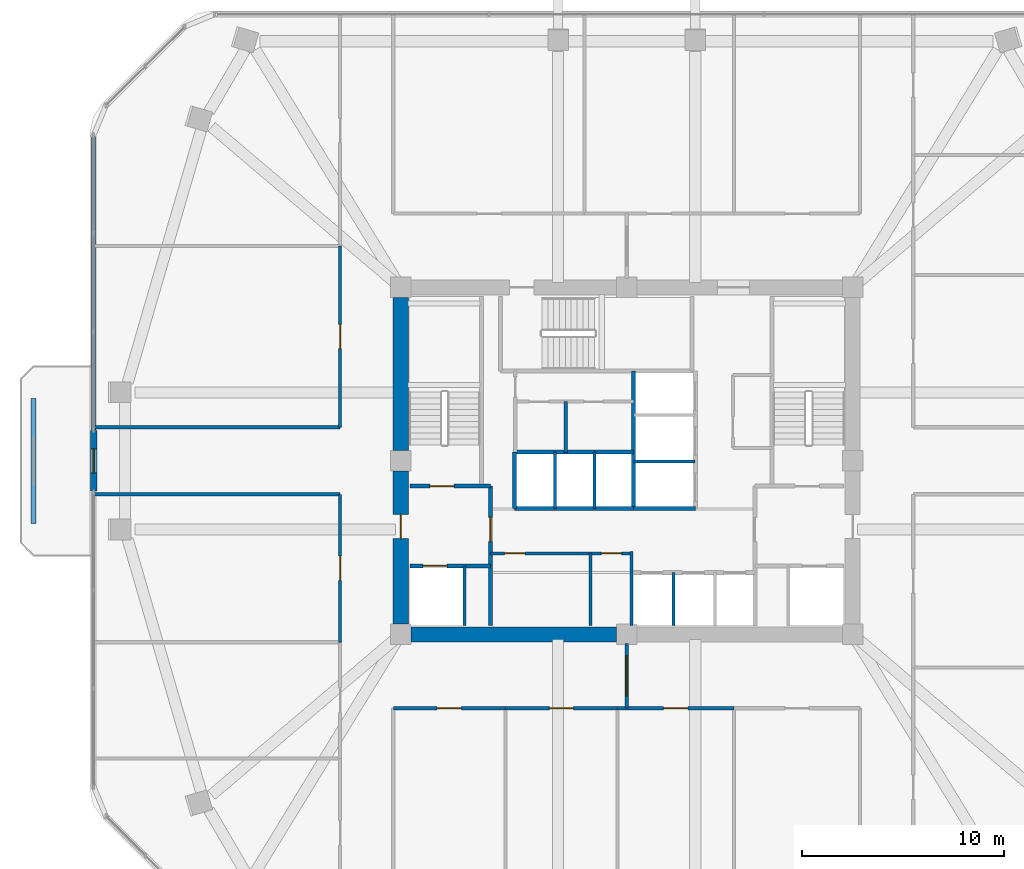
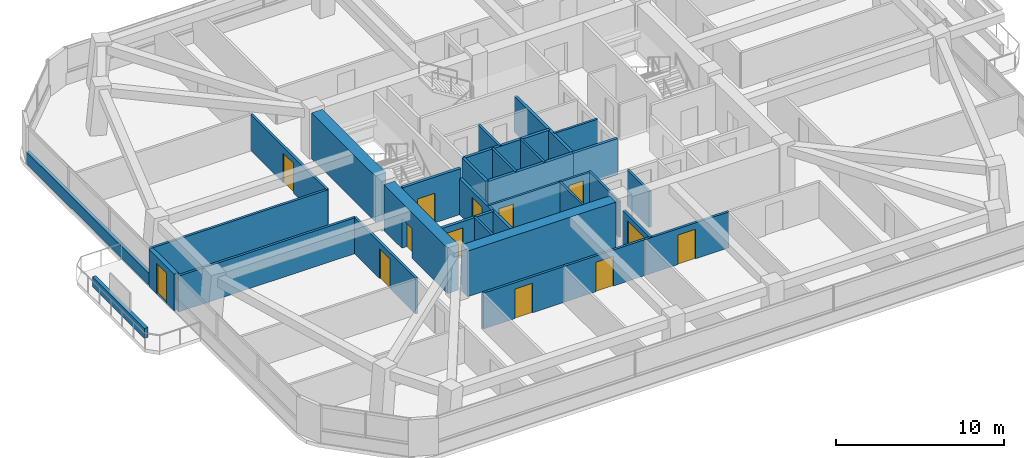
# One storey, part 10 of 15: 31 walls, 13 doors, 13 openings.
"""IFC4 building model written with IfcOpenShell, lengths in metres."""

from ifc_helpers import new_model, si_unit, derived_unit, direction, frame, frame_2d, origin, place, context, subcontext, project, spatial, rectangle, extrude, material, layer, layer_set, type_object, element, fill, save


model = new_model("IFC4")

# Units and contexts
model_context = context("Model", 3, precision=1e-05, world=origin(), true_north=direction((0.0, 1.0)))
body_context = subcontext(model_context, "Body", "Model", "MODEL_VIEW")
ifc_project = project(units=[si_unit("LENGTHUNIT", "METRE"), si_unit("AREAUNIT", "SQUARE_METRE"), si_unit("VOLUMEUNIT", "CUBIC_METRE"), si_unit("PLANEANGLEUNIT", "RADIAN"), si_unit("MASSUNIT", "GRAM", prefix="KILO"), derived_unit("THERMALTRANSMITTANCEUNIT", [(si_unit("POWERUNIT", "WATT"), 1), (si_unit("LENGTHUNIT", "METRE"), -2), (si_unit("THERMODYNAMICTEMPERATUREUNIT", "KELVIN"), -1)])], contexts=[model_context])

# Site, building, storey
site_placement = place(None, origin())
site = spatial("IfcSite", under=ifc_project, at=site_placement, CompositionType="ELEMENT")
building_placement = place(site_placement, origin())
building = spatial("IfcBuilding", under=site, at=building_placement, Name="Koralith Skygarden Medical Center", CompositionType="ELEMENT")
storey_placement = place(building_placement, frame((0.0, 0.0, 91.97998046875)))
storey = spatial("IfcBuildingStorey", under=building, at=storey_placement, Name="L23", CompositionType="ELEMENT", Elevation=91.97998046875)

# Wall, openings, doors
ifc_material_1 = material(Name="Gypsum Board Partition")
ifc_layer_1 = layer(ifc_material_1, 0.14990234375)
ifc_layer_set_1 = layer_set([ifc_layer_1], Name="Gypsum Board Partition")
wall_type_1 = type_object("IfcWallType", Name="Clinical Acoustic Partition 150", PredefinedType="PARTITIONING", material=ifc_layer_set_1)
wall_1_placement = place(storey_placement, frame((30.25, 21.320068359375, 0.0), z_axis=(0.0, 0.0, 1.0), x_axis=(1.0, 0.0, 0.0)))
wall_1 = element("IfcWall", 1, at=wall_1_placement, inside=storey, type_object=wall_type_1, Name="L23 Clinical Acoustic Partition 150 W-CORE-L23-FREED-LR-N", PredefinedType="PARTITIONING", context=body_context, shape_type="SweptSolid", body=[
    extrude(rectangle(XDim=7.0, YDim=0.14990234375, at=frame_2d((3.5, 0.0))), origin(), (0.0, 0.0, 1.0), 2.610107421875),
])
opening_1_placement = place(wall_1_placement, frame((0.699951171875, 0.0, 0.0)))
opening_1 = element("IfcOpeningElement", 2, at=opening_1_placement, cuts=wall_1, Name="Opening D-SUP", PredefinedType="OPENING", context=body_context, shape_type="SweptSolid", body=[
    extrude(rectangle(XDim=1.0, YDim=2.14990234375, at=frame_2d((0.5, 1.074951171875))), frame((0.0, 0.0849609375, 0.0), z_axis=(0.0, -1.0, 0.0), x_axis=(1.0, 0.0, 0.0)), (0.0, 0.0, 1.0), 0.169921875),
])
opening_2_placement = place(wall_1_placement, frame((5.5, 0.0, 0.0)))
opening_2 = element("IfcOpeningElement", 3, at=opening_2_placement, cuts=wall_1, Name="Opening D-SUP", PredefinedType="OPENING", context=body_context, shape_type="SweptSolid", body=[
    extrude(rectangle(XDim=1.0, YDim=2.14990234375, at=frame_2d((0.5, 1.074951171875))), frame((0.0, 0.0849609375, 0.0), z_axis=(0.0, -1.0, 0.0), x_axis=(1.0, 0.0, 0.0)), (0.0, 0.0, 1.0), 0.169921875),
])
ifc_material_2 = material(Name="Aluminium 6063-T6", Category="aluminium")
door_type_1 = type_object("IfcDoorType", Name="Clinical Support Door D-SUP 1000", OperationType="NOTDEFINED", PredefinedType="DOOR", material=ifc_material_2)
door_1_placement = place(opening_1_placement, frame((1.0, 0.0, 0.0), z_axis=(0.0, 0.0, 1.0), x_axis=(-1.0, 0.0, 0.0)))
door_1 = element("IfcDoor", 4, at=door_1_placement, inside=storey, type_object=door_type_1, Name="L23 Medication Preparation Door", OperationType="SINGLE_SWING_LEFT", OverallHeight=2.14990234375, OverallWidth=1.0, PredefinedType="DOOR", context=body_context, shape_type="SweptSolid", body=[
    extrude(rectangle(XDim=1.0, YDim=2.14990234375, at=frame_2d((0.5, 1.074951171875))), frame((0.0, 0.02490234375, 0.0), z_axis=(0.0, -1.0, 0.0), x_axis=(1.0, 0.0, 0.0)), (0.0, 0.0, 1.0), 0.050048828125),
])
fill(opening_1, door_1)
door_2_placement = place(opening_2_placement, frame((1.0, 0.0, 0.0), z_axis=(0.0, 0.0, 1.0), x_axis=(-1.0, 0.0, 0.0)))
door_2 = element("IfcDoor", 5, at=door_2_placement, inside=storey, type_object=door_type_1, Name="L23 Telemetry Room Door", OperationType="SINGLE_SWING_RIGHT", OverallHeight=2.14990234375, OverallWidth=1.0, PredefinedType="DOOR", context=body_context, shape_type="SweptSolid", body=[
    extrude(rectangle(XDim=1.0, YDim=2.14990234375, at=frame_2d((0.5, 1.074951171875))), frame((0.0, 0.02490234375, 0.0), z_axis=(0.0, -1.0, 0.0), x_axis=(1.0, 0.0, 0.0)), (0.0, 0.0, 1.0), 0.050048828125),
])
fill(opening_2, door_2)

# Walls
wall_2_placement = place(storey_placement, frame((35.199951171875, 17.75, 0.0), z_axis=(0.0, 0.0, 1.0), x_axis=(0.0, 1.0, 0.0)))
element("IfcWall", 6, at=wall_2_placement, inside=storey, type_object=wall_type_1, Name="L23 Clinical Acoustic Partition 150 W-CORE-L23-FREED-LR-M", PredefinedType="PARTITIONING", context=body_context, shape_type="SweptSolid", body=[
    extrude(rectangle(XDim=3.570068359375, YDim=0.14990234375, at=frame_2d((1.78515625, 0.0))), origin(), (0.0, 0.0, 1.0), 2.610107421875),
])
wall_3_placement = place(storey_placement, frame((33.97998046875, 26.320068359375, 0.0), z_axis=(0.0, 0.0, 1.0), x_axis=(0.0, 1.0, 0.0)))
element("IfcWall", 7, at=wall_3_placement, inside=storey, type_object=wall_type_1, Name="L23 Clinical Acoustic Partition 150 W-CORE-L23-FLEX-V3A", PredefinedType="PARTITIONING", context=body_context, shape_type="SweptSolid", body=[
    extrude(rectangle(XDim=2.52001953125, YDim=0.14990234375, at=frame_2d((1.260009765625, 0.0))), origin(), (0.0, 0.0, 1.0), 2.610107421875),
])
ifc_layer_2 = layer(ifc_material_1, 0.1650390625)
ifc_layer_set_2 = layer_set([ifc_layer_2], Name="Gypsum Board Partition")
wall_type_2 = type_object("IfcWallType", Name="Clinical Corridor Partition 165", PredefinedType="PARTITIONING", material=ifc_layer_set_2)
for number, where, z_axis, x_axis, name in (
    (8, (10.60205078125, 24.239990234375, 0.0), (0.0, 0.0, 1.0), (1.0, 0.0, 0.0), "L23 Clinical Corridor Partition 165 W-HCOR-L23-EWS-W"),
    (9, (10.60205078125, 27.56005859375, 0.0), (0.0, 0.0, 1.0), (1.0, 0.0, 0.0), "L23 Clinical Corridor Partition 165 W-HCOR-L23-EWN-W"),
):
    element("IfcWall", number, at=place(storey_placement, frame(where, z_axis=z_axis, x_axis=x_axis)), inside=storey, type_object=wall_type_2, Name=name, PredefinedType="PARTITIONING", context=body_context, shape_type="SweptSolid", body=[
        extrude(rectangle(XDim=12.18798828125, YDim=0.1650390625, at=frame_2d((6.093994140625, 0.0))), origin(), (0.0, 0.0, 1.0), 2.610107421875),
    ])

# Wall, opening, door
wall_4_placement = place(storey_placement, frame((25.429931640625, 13.639892578125, 0.0), z_axis=(0.0, 0.0, 1.0), x_axis=(1.0, 0.0, 0.0)))
wall_4 = element("IfcWall", 10, at=wall_4_placement, inside=storey, type_object=wall_type_2, Name="L23 Clinical Corridor Partition 165 W-CORR-L23-S-01", PredefinedType="PARTITIONING", context=body_context, shape_type="SweptSolid", body=[
    extrude(rectangle(XDim=5.55908203125, YDim=0.1650390625, at=frame_2d((2.779541015625, 0.0))), origin(), (0.0, 0.0, 1.0), 2.610107421875),
])
opening_3_placement = place(wall_4_placement, frame((2.179931640625, 0.0, 0.0)))
opening_3 = element("IfcOpeningElement", 11, at=opening_3_placement, cuts=wall_4, Name="Opening D-CLN", PredefinedType="OPENING", context=body_context, shape_type="SweptSolid", body=[
    extrude(rectangle(XDim=1.199951171875, YDim=2.14990234375, at=frame_2d((0.60009765625, 1.074951171875))), frame((0.0, 0.092529296875, 0.0), z_axis=(0.0, -1.0, 0.0), x_axis=(1.0, 0.0, 0.0)), (0.0, 0.0, 1.0), 0.18505859375),
])
door_type_2 = type_object("IfcDoorType", Name="Clinical Corridor Door D-CLN 1200", OperationType="NOTDEFINED", PredefinedType="DOOR", material=ifc_material_2)
door_3_placement = place(opening_3_placement, frame((1.199951171875, 0.0, 0.0), z_axis=(0.0, 0.0, 1.0), x_axis=(-1.0, 0.0, 0.0)))
door_3 = element("IfcDoor", 12, at=door_3_placement, inside=storey, type_object=door_type_2, Name="L23 Surgical Follow-Up Office 04 Door", OperationType="SINGLE_SWING_LEFT", OverallHeight=2.14990234375, OverallWidth=1.199951171875, PredefinedType="DOOR", context=body_context, shape_type="SweptSolid", body=[
    extrude(rectangle(XDim=1.199951171875, YDim=2.14990234375, at=frame_2d((0.60009765625, 1.074951171875))), frame((0.0, 0.02490234375, 0.0), z_axis=(0.0, -1.0, 0.0), x_axis=(1.0, 0.0, 0.0)), (0.0, 0.0, 1.0), 0.050048828125),
])
fill(opening_3, door_3)

wall_5_placement = place(storey_placement, frame((30.989013671875, 13.639892578125, 0.0), z_axis=(0.0, 0.0, 1.0), x_axis=(1.0, 0.0, 0.0)))
wall_5 = element("IfcWall", 13, at=wall_5_placement, inside=storey, type_object=wall_type_2, Name="L23 Clinical Corridor Partition 165 W-CORR-L23-S-02", PredefinedType="PARTITIONING", context=body_context, shape_type="SweptSolid", body=[
    extrude(rectangle(XDim=5.549072265625, YDim=0.1650390625, at=frame_2d((2.7744140625, 0.0))), origin(), (0.0, 0.0, 1.0), 2.610107421875),
])
opening_4_placement = place(wall_5_placement, frame((2.174072265625, 0.0, 0.0)))
opening_4 = element("IfcOpeningElement", 14, at=opening_4_placement, cuts=wall_5, Name="Opening D-CLN", PredefinedType="OPENING", context=body_context, shape_type="SweptSolid", body=[
    extrude(rectangle(XDim=1.199951171875, YDim=2.14990234375, at=frame_2d((0.60009765625, 1.074951171875))), frame((0.0, 0.092529296875, 0.0), z_axis=(0.0, -1.0, 0.0), x_axis=(1.0, 0.0, 0.0)), (0.0, 0.0, 1.0), 0.18505859375),
])
door_4_placement = place(opening_4_placement, frame((1.199951171875, 0.0, 0.0), z_axis=(0.0, 0.0, 1.0), x_axis=(-1.0, 0.0, 0.0)))
door_4 = element("IfcDoor", 15, at=door_4_placement, inside=storey, type_object=door_type_2, Name="L23 Sterile Instrument Sub-Store 05 Door", OperationType="SINGLE_SWING_RIGHT", OverallHeight=2.14990234375, OverallWidth=1.199951171875, PredefinedType="DOOR", context=body_context, shape_type="SweptSolid", body=[
    extrude(rectangle(XDim=1.199951171875, YDim=2.14990234375, at=frame_2d((0.60009765625, 1.074951171875))), frame((0.0, 0.02490234375, 0.0), z_axis=(0.0, -1.0, 0.0), x_axis=(1.0, 0.0, 0.0)), (0.0, 0.0, 1.0), 0.050048828125),
])
fill(opening_4, door_4)

wall_6_placement = place(storey_placement, frame((36.5380859375, 13.639892578125, 0.0), z_axis=(0.0, 0.0, 1.0), x_axis=(1.0, 0.0, 0.0)))
wall_6 = element("IfcWall", 16, at=wall_6_placement, inside=storey, type_object=wall_type_2, Name="L23 Clinical Corridor Partition 165 W-CORR-L23-S-03", PredefinedType="PARTITIONING", context=body_context, shape_type="SweptSolid", body=[
    extrude(rectangle(XDim=5.780029296875, YDim=0.1650390625, at=frame_2d((2.89013671875, 0.0))), origin(), (0.0, 0.0, 1.0), 2.610107421875),
])
opening_5_placement = place(wall_6_placement, frame((2.2900390625, 0.0, 0.0)))
opening_5 = element("IfcOpeningElement", 17, at=opening_5_placement, cuts=wall_6, Name="Opening D-CLN", PredefinedType="OPENING", context=body_context, shape_type="SweptSolid", body=[
    extrude(rectangle(XDim=1.199951171875, YDim=2.14990234375, at=frame_2d((0.60009765625, 1.074951171875))), frame((0.0, 0.092529296875, 0.0), z_axis=(0.0, -1.0, 0.0), x_axis=(1.0, 0.0, 0.0)), (0.0, 0.0, 1.0), 0.18505859375),
])
door_5_placement = place(opening_5_placement, frame((1.199951171875, 0.0, 0.0), z_axis=(0.0, 0.0, 1.0), x_axis=(-1.0, 0.0, 0.0)))
door_5 = element("IfcDoor", 18, at=door_5_placement, inside=storey, type_object=door_type_2, Name="L23 Orthopaedic Splint Supply Store 06 Door", OperationType="SINGLE_SWING_LEFT", OverallHeight=2.14990234375, OverallWidth=1.199951171875, PredefinedType="DOOR", context=body_context, shape_type="SweptSolid", body=[
    extrude(rectangle(XDim=1.199951171875, YDim=2.14990234375, at=frame_2d((0.60009765625, 1.074951171875))), frame((0.0, 0.02490234375, 0.0), z_axis=(0.0, -1.0, 0.0), x_axis=(1.0, 0.0, 0.0)), (0.0, 0.0, 1.0), 0.050048828125),
])
fill(opening_5, door_5)

wall_7_placement = place(storey_placement, frame((22.7900390625, 16.909912109375, 0.0), z_axis=(0.0, 0.0, 1.0), x_axis=(0.0, 1.0, 0.0)))
wall_7 = element("IfcWall", 19, at=wall_7_placement, inside=storey, type_object=wall_type_2, Name="L23 Clinical Corridor Partition 165 W-CORR-L23-WS-03", PredefinedType="PARTITIONING", context=body_context, shape_type="SweptSolid", body=[
    extrude(rectangle(XDim=7.330078125, YDim=0.1650390625, at=frame_2d((3.6650390625, 0.0))), origin(), (0.0, 0.0, 1.0), 2.610107421875),
])
opening_6_placement = place(wall_7_placement, frame((3.06494140625, 0.0, 0.0)))
opening_6 = element("IfcOpeningElement", 20, at=opening_6_placement, cuts=wall_7, Name="Opening D-CLN", PredefinedType="OPENING", context=body_context, shape_type="SweptSolid", body=[
    extrude(rectangle(XDim=1.199951171875, YDim=2.14990234375, at=frame_2d((0.60009765625, 1.074951171875))), frame((0.0, 0.092529296875, 0.0), z_axis=(0.0, -1.0, 0.0), x_axis=(1.0, 0.0, 0.0)), (0.0, 0.0, 1.0), 0.18505859375),
])
door_6_placement = place(opening_6_placement, frame((1.199951171875, 0.0, 0.0), z_axis=(0.0, 0.0, 1.0), x_axis=(-1.0, 0.0, 0.0)))
door_6 = element("IfcDoor", 21, at=door_6_placement, inside=storey, type_object=door_type_2, Name="L23 Orthopaedic Splint Supply Store 10 Door", OperationType="SINGLE_SWING_LEFT", OverallHeight=2.14990234375, OverallWidth=1.199951171875, PredefinedType="DOOR", context=body_context, shape_type="SweptSolid", body=[
    extrude(rectangle(XDim=1.199951171875, YDim=2.14990234375, at=frame_2d((0.60009765625, 1.074951171875))), frame((0.0, 0.02490234375, 0.0), z_axis=(0.0, -1.0, 0.0), x_axis=(1.0, 0.0, 0.0)), (0.0, 0.0, 1.0), 0.050048828125),
])
fill(opening_6, door_6)

wall_8_placement = place(storey_placement, frame((22.7900390625, 27.56005859375, 0.0), z_axis=(0.0, 0.0, 1.0), x_axis=(0.0, 1.0, 0.0)))
wall_8 = element("IfcWall", 22, at=wall_8_placement, inside=storey, type_object=wall_type_2, Name="L23 Clinical Corridor Partition 165 W-CORR-L23-WN-01", PredefinedType="PARTITIONING", context=body_context, shape_type="SweptSolid", body=[
    extrude(rectangle(XDim=8.998046875, YDim=0.1650390625, at=frame_2d((4.4990234375, 0.0))), origin(), (0.0, 0.0, 1.0), 2.610107421875),
])
opening_7_placement = place(wall_8_placement, frame((3.89892578125, 0.0, 0.0)))
opening_7 = element("IfcOpeningElement", 23, at=opening_7_placement, cuts=wall_8, Name="Opening D-CLN", PredefinedType="OPENING", context=body_context, shape_type="SweptSolid", body=[
    extrude(rectangle(XDim=1.199951171875, YDim=2.14990234375, at=frame_2d((0.60009765625, 1.074951171875))), frame((0.0, 0.092529296875, 0.0), z_axis=(0.0, -1.0, 0.0), x_axis=(1.0, 0.0, 0.0)), (0.0, 0.0, 1.0), 0.18505859375),
])
door_7_placement = place(opening_7_placement, frame((1.199951171875, 0.0, 0.0), z_axis=(0.0, 0.0, 1.0), x_axis=(-1.0, 0.0, 0.0)))
door_7 = element("IfcDoor", 24, at=door_7_placement, inside=storey, type_object=door_type_2, Name="L23 Cast and Dressing Treatment Room 11 Door", OperationType="SINGLE_SWING_RIGHT", OverallHeight=2.14990234375, OverallWidth=1.199951171875, PredefinedType="DOOR", context=body_context, shape_type="SweptSolid", body=[
    extrude(rectangle(XDim=1.199951171875, YDim=2.14990234375, at=frame_2d((0.60009765625, 1.074951171875))), frame((0.0, 0.02490234375, 0.0), z_axis=(0.0, -1.0, 0.0), x_axis=(1.0, 0.0, 0.0)), (0.0, 0.0, 1.0), 0.050048828125),
])
fill(opening_7, door_7)

ifc_layer_3 = layer(ifc_material_1, 0.199951171875)
ifc_layer_set_3 = layer_set([ifc_layer_3], Name="Gypsum Board Partition")
wall_type_3 = type_object("IfcWallType", Name="Fire Shaft Wall 200", PredefinedType="SOLIDWALL", material=ifc_layer_set_3)
wall_9_placement = place(storey_placement, frame((26.25, 20.699951171875, 0.0), z_axis=(0.0, 0.0, 1.0), x_axis=(1.0, 0.0, 0.0)))
wall_9 = element("IfcWall", 25, at=wall_9_placement, inside=storey, type_object=wall_type_3, Name="L23 Fire Shaft Wall 200 W-CORE-L23-FF1-N", PredefinedType="SOLIDWALL", context=body_context, shape_type="SweptSolid", body=[
    extrude(rectangle(XDim=4.0, YDim=0.199951171875, at=frame_2d((2.0, 0.0))), origin(), (0.0, 0.0, 1.0), 2.610107421875),
])
opening_8_placement = place(wall_9_placement, frame((0.64990234375, 0.0, 0.0)))
opening_8 = element("IfcOpeningElement", 26, at=opening_8_placement, cuts=wall_9, Name="Opening LD-FF", PredefinedType="OPENING", context=body_context, shape_type="SweptSolid", body=[
    extrude(rectangle(XDim=1.199951171875, YDim=2.14990234375, at=frame_2d((0.60009765625, 1.074951171875))), frame((0.0, 0.10986328125, 0.0), z_axis=(0.0, -1.0, 0.0), x_axis=(1.0, 0.0, 0.0)), (0.0, 0.0, 1.0), 0.219970703125),
])
ifc_material_3 = material(Name="Steel ASTM A500 Grade C", Category="steel")
door_type_3 = type_object("IfcDoorType", Name="Fire Lift Sliding Landing Door LD-FF 1200", OperationType="NOTDEFINED", PredefinedType="DOOR", material=ifc_material_3)
door_8_placement = place(opening_8_placement, origin())
door_8 = element("IfcDoor", 27, at=door_8_placement, inside=storey, type_object=door_type_3, Name="L23 Fire Service Elevator FF1 Landing Door", OperationType="SLIDING_TO_LEFT", OverallHeight=2.14990234375, OverallWidth=1.199951171875, PredefinedType="DOOR", context=body_context, shape_type="SweptSolid", body=[
    extrude(rectangle(XDim=1.199951171875, YDim=2.14990234375, at=frame_2d((0.60009765625, 1.074951171875))), frame((0.0, 0.02490234375, 0.0), z_axis=(0.0, -1.0, 0.0), x_axis=(1.0, 0.0, 0.0)), (0.0, 0.0, 1.0), 0.050048828125),
])
fill(opening_8, door_8)

wall_10_placement = place(storey_placement, frame((30.25, 17.75, 0.0), z_axis=(0.0, 0.0, 1.0), x_axis=(0.0, 1.0, 0.0)))
wall_10 = element("IfcWall", 28, at=wall_10_placement, inside=storey, type_object=wall_type_3, Name="L23 Fire Shaft Wall 200 W-CORE-L23-FSAEW-E", PredefinedType="SOLIDWALL", context=body_context, shape_type="SweptSolid", body=[
    extrude(rectangle(XDim=6.89990234375, YDim=0.199951171875, at=frame_2d((3.449951171875, 0.0))), origin(), (0.0, 0.0, 1.0), 2.610107421875),
])
opening_9_placement = place(wall_10_placement, frame((4.14990234375, 0.0, 0.0)))
opening_9 = element("IfcOpeningElement", 29, at=opening_9_placement, cuts=wall_10, Name="Opening D-ST60", PredefinedType="OPENING", context=body_context, shape_type="SweptSolid", body=[
    extrude(rectangle(XDim=1.199951171875, YDim=2.14990234375, at=frame_2d((0.60009765625, 1.074951171875))), frame((0.0, 0.10986328125, 0.0), z_axis=(0.0, -1.0, 0.0), x_axis=(1.0, 0.0, 0.0)), (0.0, 0.0, 1.0), 0.219970703125),
])
door_type_4 = type_object("IfcDoorType", Name="Smokeproof Stair Fire Door FD60S 1200", OperationType="NOTDEFINED", PredefinedType="DOOR", material=ifc_material_3)
door_9_placement = place(opening_9_placement, origin())
door_9 = element("IfcDoor", 30, at=door_9_placement, inside=storey, type_object=door_type_4, Name="L23 West Firefighting Lobby Inner Fire Door", OperationType="SINGLE_SWING_LEFT", OverallHeight=2.14990234375, OverallWidth=1.199951171875, PredefinedType="DOOR", context=body_context, shape_type="SweptSolid", body=[
    extrude(rectangle(XDim=1.199951171875, YDim=2.14990234375, at=frame_2d((0.60009765625, 1.074951171875))), frame((0.0, 0.02490234375, 0.0), z_axis=(0.0, -1.0, 0.0), x_axis=(1.0, 0.0, 0.0)), (0.0, 0.0, 1.0), 0.050048828125),
])
fill(opening_9, door_9)

# Walls
for number, where, z_axis, x_axis, name in (
    (31, (31.449951171875, 23.5400390625, 0.0), (0.0, 0.0, 1.0), (1.0, 0.0, 0.0), "L23 Fire Shaft Wall 200 W-CORE-L23-PH-S"),
    (32, (31.449951171875, 26.35009765625, 0.0), (0.0, 0.0, 1.0), (1.0, 0.0, 0.0), "L23 Fire Shaft Wall 200 W-CORE-L23-PH-N"),
):
    element("IfcWall", number, at=place(storey_placement, frame(where, z_axis=z_axis, x_axis=x_axis)), inside=storey, type_object=wall_type_3, Name=name, PredefinedType="SOLIDWALL", context=body_context, shape_type="SweptSolid", body=[
        extrude(rectangle(XDim=5.900146484375, YDim=0.199951171875, at=frame_2d((2.9501953125, 0.0))), origin(), (0.0, 0.0, 1.0), 2.610107421875),
    ])
wall_11_placement = place(storey_placement, frame((31.449951171875, 23.5400390625, 0.0), z_axis=(0.0, 0.0, 1.0), x_axis=(0.0, 1.0, 0.0)))
element("IfcWall", 33, at=wall_11_placement, inside=storey, type_object=wall_type_3, Name="L23 Fire Shaft Wall 200 W-CORE-L23-PH-W", PredefinedType="SOLIDWALL", context=body_context, shape_type="SweptSolid", body=[
    extrude(rectangle(XDim=2.81005859375, YDim=0.199951171875, at=frame_2d((1.405029296875, 0.0))), origin(), (0.0, 0.0, 1.0), 2.610107421875),
])
wall_12_placement = place(storey_placement, frame((37.35009765625, 23.5400390625, 0.0), z_axis=(0.0, 0.0, 1.0), x_axis=(0.0, 1.0, 0.0)))
element("IfcWall", 34, at=wall_12_placement, inside=storey, type_object=wall_type_3, Name="L23 Fire Shaft Wall 200 W-CORE-L23-SV-W", PredefinedType="SOLIDWALL", context=body_context, shape_type="SweptSolid", body=[
    extrude(rectangle(XDim=6.820068359375, YDim=0.199951171875, at=frame_2d((3.41015625, 0.0))), origin(), (0.0, 0.0, 1.0), 2.610107421875),
])
wall_13_placement = place(storey_placement, frame((37.35009765625, 23.5400390625, 0.0), z_axis=(0.0, 0.0, 1.0), x_axis=(1.0, 0.0, 0.0)))
element("IfcWall", 35, at=wall_13_placement, inside=storey, type_object=wall_type_3, Name="L23 Fire Shaft Wall 200 W-CORE-L23-SV-S", PredefinedType="SOLIDWALL", context=body_context, shape_type="SweptSolid", body=[
    extrude(rectangle(XDim=3.0498046875, YDim=0.199951171875, at=frame_2d((1.52490234375, 0.0))), origin(), (0.0, 0.0, 1.0), 2.610107421875),
])

# Wall, opening, door
ifc_layer_4 = layer(ifc_material_1, 0.179931640625)
ifc_layer_set_4 = layer_set([ifc_layer_4], Name="Gypsum Board Partition")
wall_type_4 = type_object("IfcWallType", Name="Group I-2 Smoke Barrier Wall 180", PredefinedType="PARTITIONING", material=ifc_layer_set_4)
wall_14_placement = place(storey_placement, frame((37.0, 13.639892578125, 0.0), z_axis=(0.0, 0.0, 1.0), x_axis=(0.0, 1.0, 0.0)))
wall_14 = element("IfcWall", 36, at=wall_14_placement, inside=storey, type_object=wall_type_4, Name="L23 Group I-2 Smoke Barrier Wall 180 W-SMK-L23-S", PredefinedType="PARTITIONING", context=body_context, shape_type="SweptSolid", body=[
    extrude(rectangle(XDim=3.210205078125, YDim=0.179931640625, at=frame_2d((1.60498046875, 0.0))), origin(), (0.0, 0.0, 1.0), 2.610107421875),
])
opening_10_placement = place(wall_14_placement, frame((0.60498046875, 0.0, 0.0)))
opening_10 = element("IfcOpeningElement", 37, at=opening_10_placement, cuts=wall_14, Name="Opening D-SMK", PredefinedType="OPENING", context=body_context, shape_type="SweptSolid", body=[
    extrude(rectangle(XDim=2.0, YDim=2.199951171875, at=frame_2d((1.0, 1.10009765625))), frame((0.0, 0.099853515625, 0.0), z_axis=(0.0, -1.0, 0.0), x_axis=(1.0, 0.0, 0.0)), (0.0, 0.0, 1.0), 0.199951171875),
])
door_type_5 = type_object("IfcDoorType", Name="Cross-Corridor Double Smoke Door FD60S 2000", OperationType="NOTDEFINED", PredefinedType="DOOR", material=ifc_material_3)
door_10_placement = place(opening_10_placement, frame((2.0, 0.0, 0.0), z_axis=(0.0, 0.0, 1.0), x_axis=(-1.0, 0.0, 0.0)))
door_10 = element("IfcDoor", 38, at=door_10_placement, inside=storey, type_object=door_type_5, Name="L23 S Smoke Compartment Cross-Corridor Door", OperationType="DOUBLE_DOOR_SINGLE_SWING", OverallHeight=2.199951171875, OverallWidth=2.0, PredefinedType="DOOR", context=body_context, shape_type="SweptSolid", body=[
    extrude(rectangle(XDim=2.0, YDim=2.199951171875, at=frame_2d((1.0, 1.10009765625))), frame((0.0, 0.02490234375, 0.0), z_axis=(0.0, -1.0, 0.0), x_axis=(1.0, 0.0, 0.0)), (0.0, 0.0, 1.0), 0.050048828125),
])
fill(opening_10, door_10)

# Walls
ifc_material_4 = material(Name="Warm Oolitic Limestone Cladding", Category="masonry")
ifc_layer_5 = layer(ifc_material_4, 0.239990234375)
ifc_layer_set_5 = layer_set([ifc_layer_5], Name="Warm Oolitic Limestone Cladding")
wall_type_5 = type_object("IfcWallType", Name="Limestone Spandrel Sill Backup Wall 240", PredefinedType="SOLIDWALL", material=ifc_layer_set_5)
wall_15_placement = place(storey_placement, frame((10.58203125, 42.055908203125, 0.0), z_axis=(0.0, 0.0, 1.0), x_axis=(0.0, -1.0, 0.0)))
element("IfcWall", 39, at=wall_15_placement, inside=storey, type_object=wall_type_5, Name="L23 Sill Spandrel W-L", PredefinedType="SOLIDWALL", context=body_context, shape_type="SweptSolid", body=[
    extrude(rectangle(XDim=14.615966796875, YDim=0.239990234375, at=frame_2d((7.30810546875, 0.0))), origin(), (0.0, 0.0, 1.0), 0.85009765625),
])
ifc_material_5 = material(Name="Concrete C70/85", Category="concrete")
ifc_layer_6 = layer(ifc_material_5, 0.75)
ifc_layer_set_6 = layer_set([ifc_layer_6], Name="Concrete C70/85")
wall_type_6 = type_object("IfcWallType", Name="Mid Core Shear Wall 750", PredefinedType="SHEAR", material=ifc_layer_set_6)
wall_16_placement = place(storey_placement, frame((26.304931640625, 17.300048828125, 0.0), z_axis=(0.0, 0.0, 1.0), x_axis=(1.0, 0.0, 0.0)))
element("IfcWall", 40, at=wall_16_placement, inside=storey, type_object=wall_type_6, Name="L23 Core Shear Wall Segment 1", PredefinedType="SHEAR", context=body_context, shape_type="SweptSolid", body=[
    extrude(rectangle(XDim=10.190185546875, YDim=0.75, at=frame_2d((5.09521484375, 0.0))), origin(), (0.0, 0.0, 1.0), 3.320068359375),
])
wall_17_placement = place(storey_placement, frame((25.800048828125, 33.9951171875, 0.0), z_axis=(0.0, 0.0, 1.0), x_axis=(0.0, -1.0, 0.0)))
element("IfcWall", 41, at=wall_17_placement, inside=storey, type_object=wall_type_6, Name="L23 Core Shear Wall Segment 7", PredefinedType="SHEAR", context=body_context, shape_type="SweptSolid", body=[
    extrude(rectangle(XDim=7.590087890625, YDim=0.75, at=frame_2d((3.794921875, 0.0))), origin(), (0.0, 0.0, 1.0), 3.320068359375),
])

# Wall, opening, door
wall_18_placement = place(storey_placement, frame((25.800048828125, 25.39501953125, 0.0), z_axis=(0.0, 0.0, 1.0), x_axis=(0.0, -1.0, 0.0)))
wall_18 = element("IfcWall", 42, at=wall_18_placement, inside=storey, type_object=wall_type_6, Name="L23 Core Shear Wall Segment 8", PredefinedType="SHEAR", context=body_context, shape_type="SweptSolid", body=[
    extrude(rectangle(XDim=7.590087890625, YDim=0.75, at=frame_2d((3.794921875, 0.0))), origin(), (0.0, 0.0, 1.0), 3.320068359375),
])
opening_11_placement = place(wall_18_placement, frame((2.14501953125, 0.0, 0.0)))
opening_11 = element("IfcOpeningElement", 43, at=opening_11_placement, cuts=wall_18, Name="Opening D-ST60", PredefinedType="OPENING", context=body_context, shape_type="SweptSolid", body=[
    extrude(rectangle(XDim=1.199951171875, YDim=2.14990234375, at=frame_2d((0.60009765625, 1.074951171875))), frame((0.0, 0.385009765625, 0.0), z_axis=(0.0, -1.0, 0.0), x_axis=(1.0, 0.0, 0.0)), (0.0, 0.0, 1.0), 0.77001953125),
])
door_11_placement = place(opening_11_placement, frame((1.199951171875, 0.0, 0.0), z_axis=(0.0, 0.0, 1.0), x_axis=(-1.0, 0.0, 0.0)))
door_11 = element("IfcDoor", 44, at=door_11_placement, inside=storey, type_object=door_type_4, Name="L23 West Corridor to Firefighting Lobby Door", OperationType="SINGLE_SWING_LEFT", OverallHeight=2.14990234375, OverallWidth=1.199951171875, PredefinedType="DOOR", context=body_context, shape_type="SweptSolid", body=[
    extrude(rectangle(XDim=1.199951171875, YDim=2.14990234375, at=frame_2d((0.60009765625, 1.074951171875))), frame((0.0, 0.02490234375, 0.0), z_axis=(0.0, -1.0, 0.0), x_axis=(1.0, 0.0, 0.0)), (0.0, 0.0, 1.0), 0.050048828125),
])
fill(opening_11, door_11)

ifc_layer_7 = layer(ifc_material_4, 0.300048828125)
ifc_layer_set_7 = layer_set([ifc_layer_7], Name="Warm Oolitic Limestone Cladding")
wall_type_7 = type_object("IfcWallType", Name="Oolitic Limestone Insulated Facade Wall 300", PredefinedType="SOLIDWALL", material=ifc_layer_set_7)
wall_19_placement = place(storey_placement, frame((10.58203125, 27.39990234375, 0.0), z_axis=(0.0, 0.0, 1.0), x_axis=(0.0, -1.0, 0.0)))
wall_19 = element("IfcWall", 45, at=wall_19_placement, inside=storey, type_object=wall_type_7, Name="L23 Terrace Portal Wall W", PredefinedType="SOLIDWALL", context=body_context, shape_type="SweptSolid", body=[
    extrude(rectangle(XDim=3.0, YDim=0.300048828125, at=frame_2d((1.5, 0.0))), origin(), (0.0, 0.0, 1.0), 2.669921875),
])
opening_12_placement = place(wall_19_placement, frame((0.89990234375, 0.0, 0.0)))
opening_12 = element("IfcOpeningElement", 46, at=opening_12_placement, cuts=wall_19, Name="Opening D-BAL", PredefinedType="OPENING", context=body_context, shape_type="SweptSolid", body=[
    extrude(rectangle(XDim=1.199951171875, YDim=2.199951171875, at=frame_2d((0.60009765625, 1.10009765625))), frame((0.0, 0.159912109375, 0.0), z_axis=(0.0, -1.0, 0.0), x_axis=(1.0, 0.0, 0.0)), (0.0, 0.0, 1.0), 0.320068359375),
])
door_type_6 = type_object("IfcDoorType", Name="Planted Balcony Glazed Terrace Door D-BAL 1200", OperationType="NOTDEFINED", PredefinedType="DOOR", material=ifc_material_2)
door_12_placement = place(opening_12_placement, origin())
door_12 = element("IfcDoor", 47, at=door_12_placement, inside=storey, type_object=door_type_6, Name="L23 W Outdoor Terrace Access Door", OperationType="SINGLE_SWING_RIGHT", OverallHeight=2.199951171875, OverallWidth=1.199951171875, PredefinedType="DOOR", context=body_context, shape_type="SweptSolid", body=[
    extrude(rectangle(XDim=1.199951171875, YDim=2.199951171875, at=frame_2d((0.60009765625, 1.10009765625))), frame((0.0, 0.02490234375, 0.0), z_axis=(0.0, -1.0, 0.0), x_axis=(1.0, 0.0, 0.0)), (0.0, 0.0, 1.0), 0.050048828125),
])
fill(opening_12, door_12)

# Walls
ifc_layer_8 = layer(ifc_material_1, 0.14990234375)
ifc_layer_set_8 = layer_set([ifc_layer_8], Name="Gypsum Board Partition")
wall_type_8 = type_object("IfcWallType", Name="Shaft Partition Wall 150", PredefinedType="PARTITIONING", material=ifc_layer_set_8)
wall_20_placement = place(storey_placement, frame((28.969970703125, 17.75, 0.0), z_axis=(0.0, 0.0, 1.0), x_axis=(0.0, 1.0, 0.0)))
element("IfcWall", 48, at=wall_20_placement, inside=storey, type_object=wall_type_8, Name="L23 Shaft Partition Wall 150 W-CORE-L23-RSRW-DIV", PredefinedType="PARTITIONING", context=body_context, shape_type="SweptSolid", body=[
    extrude(rectangle(XDim=2.949951171875, YDim=0.14990234375, at=frame_2d((1.47509765625, 0.0))), origin(), (0.0, 0.0, 1.0), 2.610107421875),
])
wall_21_placement = place(storey_placement, frame((39.320068359375, 17.75, 0.0), z_axis=(0.0, 0.0, 1.0), x_axis=(0.0, 1.0, 0.0)))
element("IfcWall", 49, at=wall_21_placement, inside=storey, type_object=wall_type_8, Name="L23 Shaft Partition Wall 150 W-CORE-L23-PM-D1", PredefinedType="PARTITIONING", context=body_context, shape_type="SweptSolid", body=[
    extrude(rectangle(XDim=2.610107421875, YDim=0.14990234375, at=frame_2d((1.30517578125, 0.0))), origin(), (0.0, 0.0, 1.0), 2.610107421875),
])
wall_22_placement = place(storey_placement, frame((37.25, 17.75, 0.0), z_axis=(0.0, 0.0, 1.0), x_axis=(0.0, 1.0, 0.0)))
element("IfcWall", 50, at=wall_22_placement, inside=storey, type_object=wall_type_8, Name="L23 Shaft Partition Wall 150 W-CORE-L23-PL-PM-SEP", PredefinedType="PARTITIONING", context=body_context, shape_type="SweptSolid", body=[
    extrude(rectangle(XDim=3.64990234375, YDim=0.14990234375, at=frame_2d((1.824951171875, 0.0))), origin(), (0.0, 0.0, 1.0), 2.610107421875),
])
for number, where, z_axis, x_axis, name in (
    (51, (33.449951171875, 23.5400390625, 0.0), (0.0, 0.0, 1.0), (0.0, 1.0, 0.0), "L23 Shaft Partition Wall 150 W-CORE-L23-PH-D1"),
    (52, (35.39990234375, 23.5400390625, 0.0), (0.0, 0.0, 1.0), (0.0, 1.0, 0.0), "L23 Shaft Partition Wall 150 W-CORE-L23-PH-D2"),
):
    element("IfcWall", number, at=place(storey_placement, frame(where, z_axis=z_axis, x_axis=x_axis)), inside=storey, type_object=wall_type_8, Name=name, PredefinedType="PARTITIONING", context=body_context, shape_type="SweptSolid", body=[
        extrude(rectangle(XDim=2.81005859375, YDim=0.14990234375, at=frame_2d((1.405029296875, 0.0))), origin(), (0.0, 0.0, 1.0), 2.610107421875),
    ])
wall_23_placement = place(storey_placement, frame((37.3701171875, 25.8701171875, 0.0), z_axis=(0.0, 0.0, 1.0), x_axis=(1.0, 0.0, 0.0)))
element("IfcWall", 53, at=wall_23_placement, inside=storey, type_object=wall_type_8, Name="L23 Shaft Partition Wall 150 W-CORE-L23-SV-D1", PredefinedType="PARTITIONING", context=body_context, shape_type="SweptSolid", body=[
    extrude(rectangle(XDim=3.009765625, YDim=0.14990234375, at=frame_2d((1.5048828125, 0.0))), origin(), (0.0, 0.0, 1.0), 2.610107421875),
])
ifc_material_6 = material(Name="Precast concrete C40/50", Category="concrete")
ifc_layer_9 = layer(ifc_material_6, 0.25)
ifc_layer_set_9 = layer_set([ifc_layer_9], Name="Precast concrete C40/50")
wall_type_9 = type_object("IfcWallType", Name="Structural Concrete Balcony Planter Kerb 250", PredefinedType="PARAPET", material=ifc_layer_set_9)
wall_24_placement = place(storey_placement, frame((7.60205078125, 22.800048828125, 0.0), z_axis=(0.0, 0.0, 1.0), x_axis=(0.0, 1.0, 0.0)))
element("IfcWall", 54, at=wall_24_placement, inside=storey, type_object=wall_type_9, Name="L23 W Structural Tree PLANTER Box", PredefinedType="PARAPET", context=body_context, shape_type="SweptSolid", body=[
    extrude(rectangle(XDim=6.199951171875, YDim=0.25, at=frame_2d((3.10009765625, 0.0))), origin(), (0.0, 0.0, 1.0), 0.719970703125),
])

# Wall, opening, door
ifc_material_7 = material(Name="Concrete C45/55", Category="concrete")
ifc_layer_10 = layer(ifc_material_7, 0.199951171875)
ifc_layer_set_10 = layer_set([ifc_layer_10], Name="Concrete C45/55")
wall_type_10 = type_object("IfcWallType", Name="Structural Stair Shaft Wall 200", PredefinedType="SHEAR", material=ifc_layer_set_10)
wall_25_placement = place(storey_placement, frame((26.25, 24.64990234375, 0.0), z_axis=(0.0, 0.0, 1.0), x_axis=(1.0, 0.0, 0.0)))
wall_25 = element("IfcWall", 55, at=wall_25_placement, inside=storey, type_object=wall_type_10, Name="L23 Structural Stair Shaft Wall 200 W-CORE-L23-ST1-S", PredefinedType="SHEAR", context=body_context, shape_type="SweptSolid", body=[
    extrude(rectangle(XDim=4.0, YDim=0.199951171875, at=frame_2d((2.0, 0.0))), origin(), (0.0, 0.0, 1.0), 3.320068359375),
])
opening_13_placement = place(wall_25_placement, frame((1.0, 0.0, 0.0)))
opening_13 = element("IfcOpeningElement", 56, at=opening_13_placement, cuts=wall_25, Name="Opening D-ST60", PredefinedType="OPENING", context=body_context, shape_type="SweptSolid", body=[
    extrude(rectangle(XDim=1.199951171875, YDim=2.14990234375, at=frame_2d((0.60009765625, 1.074951171875))), frame((0.0, 0.10986328125, 0.0), z_axis=(0.0, -1.0, 0.0), x_axis=(1.0, 0.0, 0.0)), (0.0, 0.0, 1.0), 0.219970703125),
])
door_13_placement = place(opening_13_placement, origin())
door_13 = element("IfcDoor", 57, at=door_13_placement, inside=storey, type_object=door_type_4, Name="L23 Exit Stair ST1 Fire Door", OperationType="SINGLE_SWING_LEFT", OverallHeight=2.14990234375, OverallWidth=1.199951171875, PredefinedType="DOOR", context=body_context, shape_type="SweptSolid", body=[
    extrude(rectangle(XDim=1.199951171875, YDim=2.14990234375, at=frame_2d((0.60009765625, 1.074951171875))), frame((0.0, 0.02490234375, 0.0), z_axis=(0.0, -1.0, 0.0), x_axis=(1.0, 0.0, 0.0)), (0.0, 0.0, 1.0), 0.050048828125),
])
fill(opening_13, door_13)

save(model, "model.ifc")
